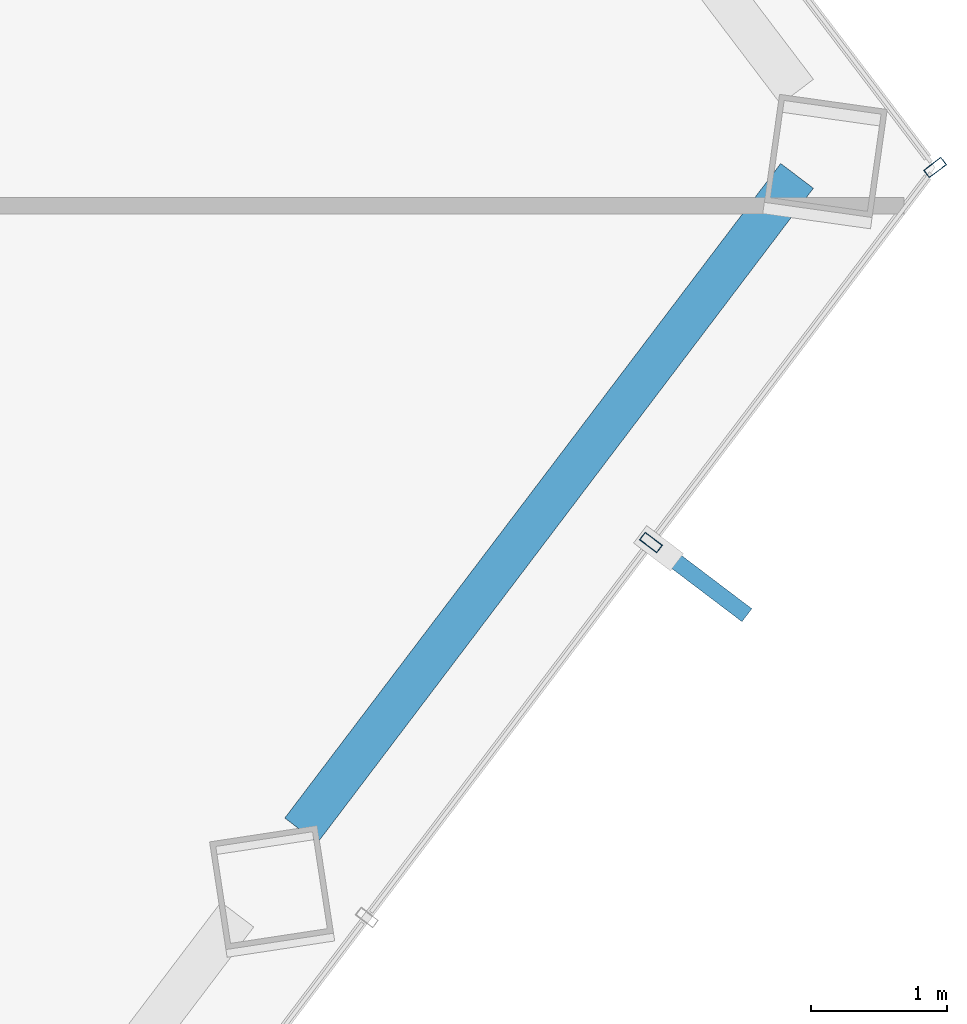
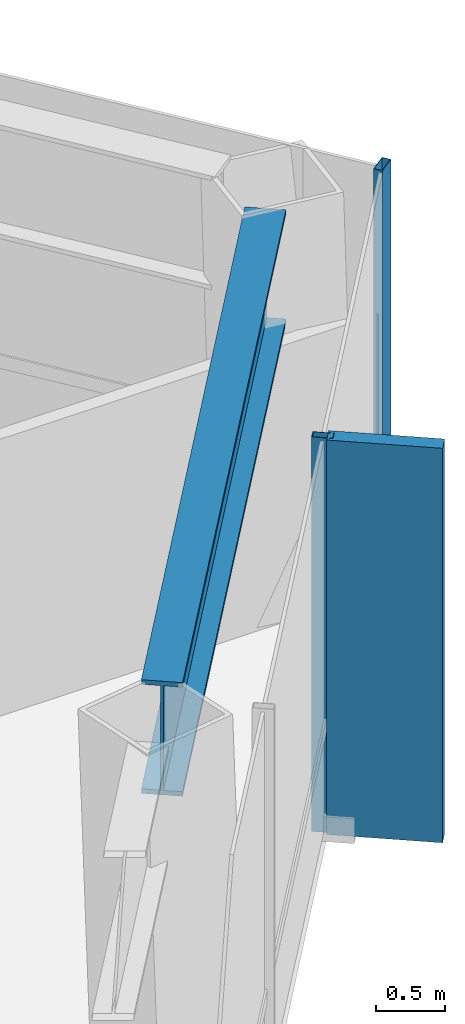
# One storey, part 23 of 30: 3 members, 1 beam, 2 elements without a shape of their own.
"""IFC4 building model written with IfcOpenShell, lengths in metres."""

from ifc_helpers import new_model, si_unit, direction, frame, origin, origin_2d, place, context, subcontext, project, spatial, rectangle, hollow_rectangle, i_section, extrude, material, layer, layer_set, material_profile, profile_set, type_object, element, aggregate, save


model = new_model("IFC4")

# Units and contexts
model_context = context("Model", 3, precision=1e-05, world=origin(), true_north=direction((0.0, 1.0)))
body_context = subcontext(model_context, "Body", "Model", "MODEL_VIEW")
ifc_project = project(units=[si_unit("LENGTHUNIT", "METRE"), si_unit("AREAUNIT", "SQUARE_METRE"), si_unit("VOLUMEUNIT", "CUBIC_METRE"), si_unit("PLANEANGLEUNIT", "RADIAN"), si_unit("MASSUNIT", "GRAM", prefix="KILO")], contexts=[model_context])

# Site, building, storey
site_placement = place(None, origin())
site = spatial("IfcSite", under=ifc_project, at=site_placement, CompositionType="ELEMENT")
building_placement = place(site_placement, origin())
building = spatial("IfcBuilding", under=site, at=building_placement, Name="Zarrinselat Tower", CompositionType="ELEMENT")
storey_placement = place(building_placement, frame((0.0, 0.0, 160.820068359375)))
storey = spatial("IfcBuildingStorey", under=building, at=storey_placement, Name="L39", CompositionType="ELEMENT", Elevation=160.820068359375)

# Beam
ifc_material_1 = material(Name="Steel S460M", Category="steel")
ifc_material_profile_1 = material_profile(ifc_material_1, i_section(OverallWidth=0.302001953125, OverallDepth=1.008056640625, WebThickness=0.02099609375, FlangeThickness=0.0400390625, at=origin_2d()), Name="HEM 1000")
ifc_profile_set_1 = profile_set([ifc_material_profile_1], Name="Steel S460M")
beam_type = type_object("IfcBeamType", Name="BM-HEM1000", PredefinedType="BEAM", material=ifc_profile_set_1)
beam_placement = place(storey_placement, frame((58.320556640625, 34.910400390625, 2.995849609375), z_axis=(0.603860801194, 0.79708978966, 0.0), x_axis=(-0.79708978966, 0.603860801194, 0.0)))
element("IfcBeam", 1, at=beam_placement, inside=storey, type_object=beam_type, Name="L39 Perimeter Spandrel Girder SP14", PredefinedType="BEAM", context=body_context, shape_type="SweptSolid", body=[
    extrude(i_section(OverallWidth=0.302001953125, OverallDepth=1.008056640625, WebThickness=0.02099609375, FlangeThickness=0.0400390625, at=origin_2d()), origin(), (0.0, 0.0, 1.0), 6.039306640625),
])

# Curtain wall, member
ifc_material_2 = material(Name="Extruded Aluminium Alloy EN AW-6063 T6", Category="aluminium")
ifc_layer = layer(ifc_material_2, 0.175048828125)
ifc_layer_set = layer_set([ifc_layer], Name="Extruded Aluminium Alloy EN AW-6063 T6")
curtain_wall_type = type_object("IfcCurtainWallType", Name="CWS-HTL", PredefinedType="NOTDEFINED", material=ifc_layer_set)
curtain_wall_1_placement = place(storey_placement, origin())
curtain_wall_1 = element("IfcCurtainWall", 2, at=curtain_wall_1_placement, inside=storey, type_object=curtain_wall_type, Name="L39 Unitised Curtain Wall CW-L39-E04", PredefinedType="NOTDEFINED")
ifc_material_3 = material(Name="Extruded Aluminium Alloy EN AW-6063 T6", Category="aluminium")
ifc_material_profile_2 = material_profile(ifc_material_3, hollow_rectangle(XDim=0.070068359375, YDim=0.159912109375, WallThickness=0.00390625, at=origin_2d()), Name="RHS 160x70x4")
ifc_profile_set_2 = profile_set([ifc_material_profile_2], Name="Extruded Aluminium Alloy EN AW-6063 T6")
member_type_1 = type_object("IfcMemberType", Name="MEM-CW-MUL2", PredefinedType="MULLION", material=ifc_profile_set_2)
member_1_placement = place(storey_placement, frame((62.982666015625, 39.78564453125, 0.0), z_axis=(0.0, 0.0, 1.0), x_axis=(0.603856343425, -0.797093166766, 0.0)))
member_1 = element("IfcMember", 3, at=member_1_placement, type_object=member_type_1, Name="CW-L39-E04 Mullion 3", PredefinedType="MULLION", context=body_context, shape_type="SweptSolid", body=[
    extrude(hollow_rectangle(XDim=0.070068359375, YDim=0.159912109375, WallThickness=0.00390625, at=origin_2d()), origin(), (0.0, 0.0, 1.0), 3.5),
])
aggregate(curtain_wall_1, [member_1])

# Curtain wall, members
curtain_wall_2_placement = place(storey_placement, origin())
curtain_wall_2 = element("IfcCurtainWall", 4, at=curtain_wall_2_placement, inside=storey, type_object=curtain_wall_type, Name="L39 Unitised Curtain Wall CW-L39-E05", PredefinedType="NOTDEFINED")
member_2_placement = place(storey_placement, frame((60.893310546875, 37.02783203125, 0.0), z_axis=(0.0, 0.0, 1.0), x_axis=(-0.603858522722, -0.797091515785, 0.0)))
member_2 = element("IfcMember", 5, at=member_2_placement, type_object=member_type_1, Name="CW-L39-E05 Mullion 1", PredefinedType="MULLION", context=body_context, shape_type="SweptSolid", body=[
    extrude(hollow_rectangle(XDim=0.070068359375, YDim=0.159912109375, WallThickness=0.00390625, at=origin_2d()), origin(), (0.0, 0.0, 1.0), 3.5),
])
ifc_material_4 = material(Name="Honed Cream Travertine Stone", Category="masonry")
ifc_material_profile_3 = material_profile(ifc_material_4, rectangle(XDim=0.1201171875, YDim=0.85009765625, at=origin_2d()), Name="FIN 850x120")
ifc_profile_set_3 = profile_set([ifc_material_profile_3], Name="Honed Cream Travertine Stone")
member_type_2 = type_object("IfcMemberType", Name="MEM-STONE-FIN", PredefinedType="USERDEFINED", material=ifc_profile_set_3)
member_3_placement = place(storey_placement, frame((61.260009765625, 36.75, 0.0), z_axis=(0.0, 0.0, 1.0), x_axis=(-0.603858522722, -0.797091515785, 0.0)))
member_3 = element("IfcMember", 6, at=member_3_placement, type_object=member_type_2, Name="L39 Stone Shading Fin CW-L39-E05-01", ObjectType="FIN", PredefinedType="USERDEFINED", context=body_context, shape_type="SweptSolid", body=[
    extrude(rectangle(XDim=0.1201171875, YDim=0.85009765625, at=origin_2d()), origin(), (0.0, 0.0, 1.0), 3.5),
])
aggregate(curtain_wall_2, [member_2, member_3])

save(model, "model.ifc")
